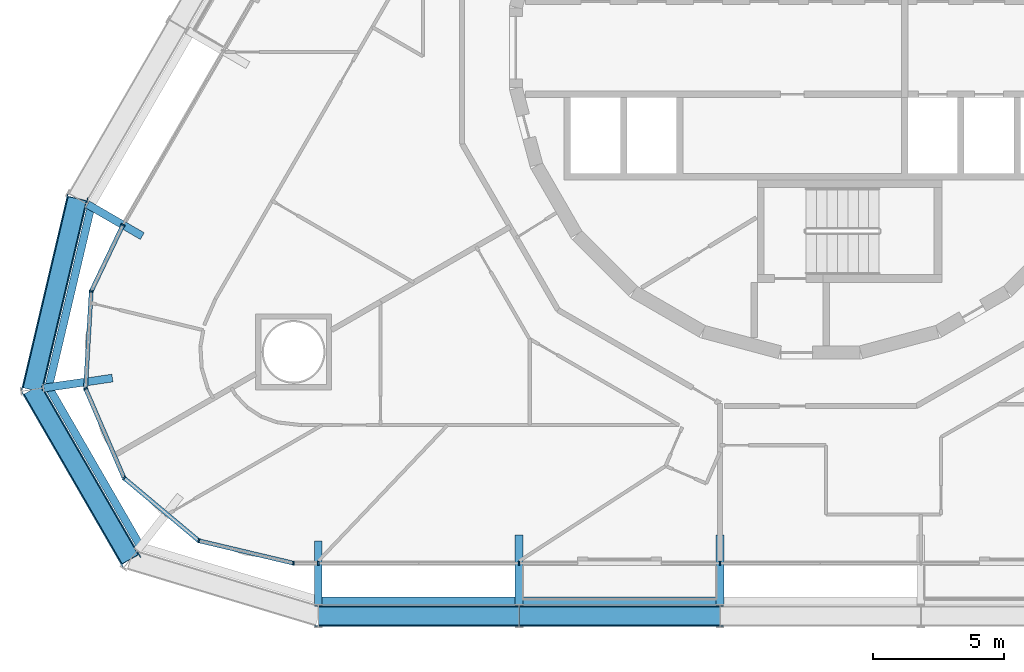
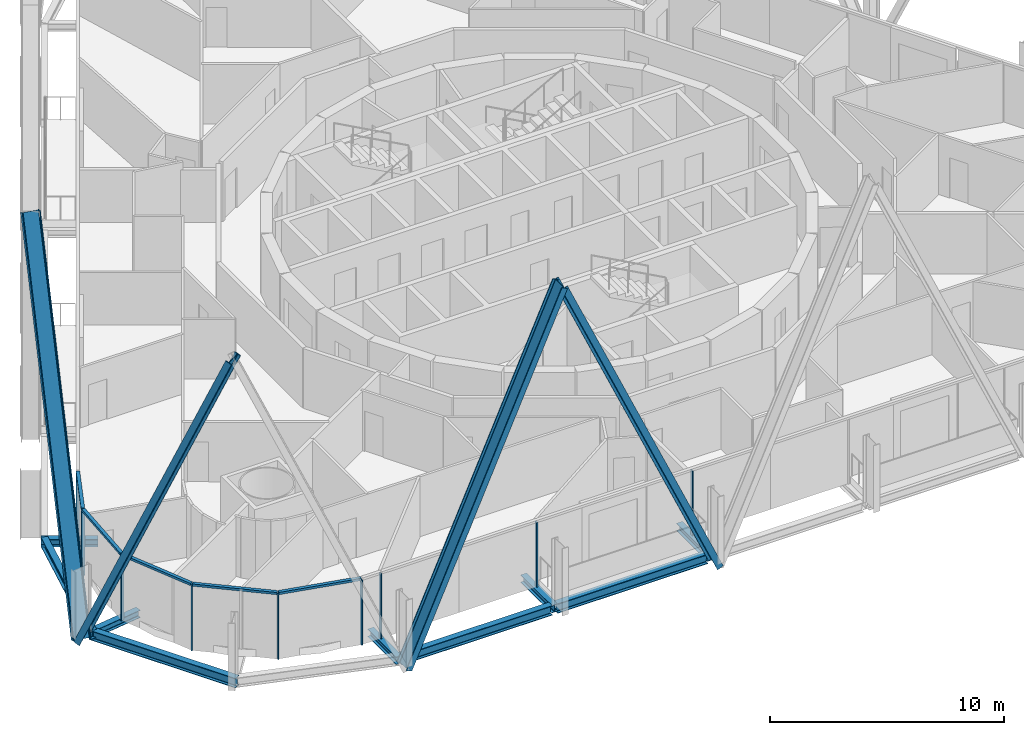
# One storey, part 3 of 22: 18 members, 9 beams, 2 elements without a shape of their own.
"""IFC4 building model written with IfcOpenShell, lengths in metres."""

from ifc_helpers import new_model, si_unit, direction, frame, origin, origin_2d, place, context, subcontext, project, spatial, rectangle, i_section, extrude, material, layer, layer_set, material_profile, profile_set, type_object, element, aggregate, save


model = new_model("IFC4")

# Units and contexts
model_context = context("Model", 3, precision=1e-05, world=origin(), true_north=direction((0.0, 1.0)))
body_context = subcontext(model_context, "Body", "Model", "MODEL_VIEW")
ifc_project = project(units=[si_unit("LENGTHUNIT", "METRE"), si_unit("AREAUNIT", "SQUARE_METRE"), si_unit("VOLUMEUNIT", "CUBIC_METRE"), si_unit("PLANEANGLEUNIT", "RADIAN"), si_unit("MASSUNIT", "GRAM", prefix="KILO")], contexts=[model_context])

# Site, building, storey
site_placement = place(None, origin())
site = spatial("IfcSite", under=ifc_project, at=site_placement, CompositionType="ELEMENT")
building_placement = place(site_placement, origin())
building = spatial("IfcBuilding", under=site, at=building_placement, Name="Spindle Arch Residences", CompositionType="ELEMENT")
storey_placement = place(building_placement, frame((0.0, 0.0, 52.39990234375)))
storey = spatial("IfcBuildingStorey", under=building, at=storey_placement, Name="L11", CompositionType="ELEMENT", Elevation=52.39990234375)

# Curtain wall, members
ifc_material_1 = material(Name="Aluminium bronze unitised frame with tinted glass", Category="aluminium")
ifc_layer_1 = layer(ifc_material_1, 0.159912109375)
ifc_layer_set_1 = layer_set([ifc_layer_1], Name="CW-D corner wall on the fillet arcs")
curtain_wall_type_1 = type_object("IfcCurtainWallType", Name="CW-D corner wall on the fillet arcs", PredefinedType="NOTDEFINED", material=ifc_layer_set_1)
curtain_wall_1_placement = place(storey_placement, origin())
curtain_wall_1 = element("IfcCurtainWall", 1, at=curtain_wall_1_placement, inside=storey, type_object=curtain_wall_type_1, Name="CW-D L11 run 5", PredefinedType="NOTDEFINED")
ifc_material_2 = material(Name="Aluminium bronze anodised mullion", Category="aluminium")
ifc_material_profile_1 = material_profile(ifc_material_2, rectangle(XDim=0.159912109375, YDim=0.06005859375, at=origin_2d()), Name="MU 60x160")
ifc_profile_set_1 = profile_set([ifc_material_profile_1], Name="Aluminium bronze anodised mullion")
member_type_1 = type_object("IfcMemberType", Name="Bronze mullion 60x160", PredefinedType="MULLION", material=ifc_profile_set_1)
member_1_placement = place(storey_placement, frame((-26.66943359375, -6.77294921875, -0.3798828125), z_axis=(0.0, 0.0, 1.0), x_axis=(0.902111889092, -0.431502189519, 0.0)))
member_1 = element("IfcMember", 2, at=member_1_placement, type_object=member_type_1, Name="CW-D mullion 00", PredefinedType="MULLION", context=body_context, shape_type="SweptSolid", body=[
    extrude(rectangle(XDim=0.159912109375, YDim=0.06005859375, at=origin_2d()), origin(), (0.0, 0.0, 1.0), 3.3798828125),
])
member_2_placement = place(storey_placement, frame((-27.884033203125, -9.3125, -0.3798828125), z_axis=(0.0, 0.0, 1.0), x_axis=(0.99830815821, -0.058144829968, 0.0)))
member_2 = element("IfcMember", 3, at=member_2_placement, type_object=member_type_1, Name="CW-D mullion 01", PredefinedType="MULLION", context=body_context, shape_type="SweptSolid", body=[
    extrude(rectangle(XDim=0.159912109375, YDim=0.06005859375, at=origin_2d()), origin(), (0.0, 0.0, 1.0), 3.3798828125),
])
member_3_placement = place(storey_placement, frame((-28.100830078125, -13.032958984375, -0.3798828125), z_axis=(0.0, 0.0, 1.0), x_axis=(0.918216106599, 0.396079766691, 0.0)))
member_3 = element("IfcMember", 4, at=member_3_placement, type_object=member_type_1, Name="CW-D mullion 02", PredefinedType="MULLION", context=body_context, shape_type="SweptSolid", body=[
    extrude(rectangle(XDim=0.159912109375, YDim=0.06005859375, at=origin_2d()), origin(), (0.0, 0.0, 1.0), 3.3798828125),
])
member_4_placement = place(storey_placement, frame((-26.624755859375, -16.454833984375, -0.3798828125), z_axis=(0.0, 0.0, 1.0), x_axis=(0.64278760716, 0.766044445239, 0.0)))
member_4 = element("IfcMember", 5, at=member_4_placement, type_object=member_type_1, Name="CW-D mullion 03", PredefinedType="MULLION", context=body_context, shape_type="SweptSolid", body=[
    extrude(rectangle(XDim=0.159912109375, YDim=0.06005859375, at=origin_2d()), origin(), (0.0, 0.0, 1.0), 3.3798828125),
])
member_5_placement = place(storey_placement, frame((-23.769775390625, -18.850341796875, -0.3798828125), z_axis=(0.0, 0.0, 1.0), x_axis=(0.230615868852, 0.973044871028, 0.0)))
member_5 = element("IfcMember", 6, at=member_5_placement, type_object=member_type_1, Name="CW-D mullion 04", PredefinedType="MULLION", context=body_context, shape_type="SweptSolid", body=[
    extrude(rectangle(XDim=0.159912109375, YDim=0.06005859375, at=origin_2d()), origin(), (0.0, 0.0, 1.0), 3.3798828125),
])
member_6_placement = place(storey_placement, frame((-20.1435546875, -19.7099609375, -0.3798828125), z_axis=(0.0, 0.0, 1.0), x_axis=(0.0, 1.0, 0.0)))
member_6 = element("IfcMember", 7, at=member_6_placement, type_object=member_type_1, Name="CW-D mullion 05", PredefinedType="MULLION", context=body_context, shape_type="SweptSolid", body=[
    extrude(rectangle(XDim=0.159912109375, YDim=0.06005859375, at=origin_2d()), origin(), (0.0, 0.0, 1.0), 3.3798828125),
])

ifc_material_3 = material(Name="Aluminium bronze unitised frame with tinted glass", Category="aluminium")
ifc_layer_2 = layer(ifc_material_3, 0.159912109375)
ifc_layer_set_2 = layer_set([ifc_layer_2], Name="CW-C typical residential unitised wall")
curtain_wall_type_2 = type_object("IfcCurtainWallType", Name="CW-C typical residential unitised wall", PredefinedType="NOTDEFINED", material=ifc_layer_set_2)
curtain_wall_2_placement = place(storey_placement, origin())
curtain_wall_2 = element("IfcCurtainWall", 8, at=curtain_wall_2_placement, inside=storey, type_object=curtain_wall_type_2, Name="CW-C L11 run 6", PredefinedType="NOTDEFINED")
member_7_placement = place(storey_placement, frame((-19.2001953125, -19.7099609375, -0.3798828125), z_axis=(0.0, 0.0, 1.0), x_axis=(0.0, 1.0, 0.0)))
member_7 = element("IfcMember", 9, at=member_7_placement, type_object=member_type_1, Name="CW-C mullion 21", PredefinedType="MULLION", context=body_context, shape_type="SweptSolid", body=[
    extrude(rectangle(XDim=0.159912109375, YDim=0.06005859375, at=origin_2d()), origin(), (0.0, 0.0, 1.0), 3.3798828125),
])
member_8_placement = place(storey_placement, frame((-11.52001953125, -19.7099609375, -0.3798828125), z_axis=(0.0, 0.0, 1.0), x_axis=(0.0, 1.0, 0.0)))
member_8 = element("IfcMember", 10, at=member_8_placement, type_object=member_type_1, Name="CW-C mullion 22", PredefinedType="MULLION", context=body_context, shape_type="SweptSolid", body=[
    extrude(rectangle(XDim=0.159912109375, YDim=0.06005859375, at=origin_2d()), origin(), (0.0, 0.0, 1.0), 3.3798828125),
])
member_9_placement = place(storey_placement, frame((-3.840087890625, -19.7099609375, -0.3798828125), z_axis=(0.0, 0.0, 1.0), x_axis=(0.0, 1.0, 0.0)))
member_9 = element("IfcMember", 11, at=member_9_placement, type_object=member_type_1, Name="CW-C mullion 23", PredefinedType="MULLION", context=body_context, shape_type="SweptSolid", body=[
    extrude(rectangle(XDim=0.159912109375, YDim=0.06005859375, at=origin_2d()), origin(), (0.0, 0.0, 1.0), 3.3798828125),
])
aggregate(curtain_wall_2, [member_7, member_8, member_9])

# Member
ifc_material_4 = material(Name="Aluminium bronze anodised transom", Category="aluminium")
ifc_material_profile_2 = material_profile(ifc_material_4, rectangle(XDim=0.159912109375, YDim=0.1201171875, at=origin_2d()), Name="TR 120x160")
ifc_profile_set_2 = profile_set([ifc_material_profile_2], Name="Aluminium bronze anodised transom")
member_type_2 = type_object("IfcMemberType", Name="Bronze transom 120x160", PredefinedType="USERDEFINED", material=ifc_profile_set_2)
member_10_placement = place(storey_placement, frame((-26.682373046875, -6.800048828125, 3.06005859375), z_axis=(-0.43147744699, -0.902123723631, 0.0), x_axis=(0.902123723631, -0.43147744699, 0.0)))
member_10 = element("IfcMember", 12, at=member_10_placement, type_object=member_type_2, Name="CW-D transom 00", ObjectType="TRANSOM", PredefinedType="USERDEFINED", context=body_context, shape_type="SweptSolid", body=[
    extrude(rectangle(XDim=0.159912109375, YDim=0.1201171875, at=origin_2d()), origin(), (0.0, 0.0, 1.0), 2.7548828125),
])

member_11_placement = place(storey_placement, frame((-27.885986328125, -9.342529296875, 3.06005859375), z_axis=(-0.058128716156, -0.998309096602, 0.0), x_axis=(0.998309096602, -0.058128716156, 0.0)))
member_11 = element("IfcMember", 13, at=member_11_placement, type_object=member_type_2, Name="CW-D transom 01", ObjectType="TRANSOM", PredefinedType="USERDEFINED", context=body_context, shape_type="SweptSolid", body=[
    extrude(rectangle(XDim=0.159912109375, YDim=0.1201171875, at=origin_2d()), origin(), (0.0, 0.0, 1.0), 3.66650390625),
])

member_12_placement = place(storey_placement, frame((-28.0888671875, -13.060546875, 3.06005859375), z_axis=(0.39603167212, -0.918236851078, 0.0), x_axis=(0.918236851078, 0.39603167212, 0.0)))
member_12 = element("IfcMember", 14, at=member_12_placement, type_object=member_type_2, Name="CW-D transom 02", ObjectType="TRANSOM", PredefinedType="USERDEFINED", context=body_context, shape_type="SweptSolid", body=[
    extrude(rectangle(XDim=0.159912109375, YDim=0.1201171875, at=origin_2d()), origin(), (0.0, 0.0, 1.0), 3.666748046875),
])

member_13_placement = place(storey_placement, frame((-26.601806640625, -16.47412109375, 3.06005859375), z_axis=(0.766006453075, -0.642832881741, 0.0), x_axis=(0.642832881741, 0.766006453075, 0.0)))
member_13 = element("IfcMember", 15, at=member_13_placement, type_object=member_type_2, Name="CW-D transom 03", ObjectType="TRANSOM", PredefinedType="USERDEFINED", context=body_context, shape_type="SweptSolid", body=[
    extrude(rectangle(XDim=0.159912109375, YDim=0.1201171875, at=origin_2d()), origin(), (0.0, 0.0, 1.0), 3.666748046875),
])

member_14_placement = place(storey_placement, frame((-23.74072265625, -18.857421875, 3.06005859375), z_axis=(0.973053560164, -0.230579203425, 0.0), x_axis=(0.230579203425, 0.973053560164, 0.0)))
member_14 = element("IfcMember", 16, at=member_14_placement, type_object=member_type_2, Name="CW-D transom 04", ObjectType="TRANSOM", PredefinedType="USERDEFINED", context=body_context, shape_type="SweptSolid", body=[
    extrude(rectangle(XDim=0.159912109375, YDim=0.1201171875, at=origin_2d()), origin(), (0.0, 0.0, 1.0), 3.666748046875),
])

aggregate(curtain_wall_1, [member_1, member_10, member_2, member_11, member_3, member_12, member_4, member_13, member_5, member_14, member_6])

# Members
ifc_material_5 = material(Name="Steel S460ML, intumescent coating R 240", Category="steel")
ifc_material_profile_3 = material_profile(ifc_material_5, i_section(OverallWidth=0.302978515625, OverallDepth=0.81396484375, WebThickness=0.02099609375, FlangeThickness=0.0400390625, FilletRadius=0.030029296875, at=origin_2d()), Name="HEM 800")
ifc_profile_set_3 = profile_set([ifc_material_profile_3], Name="Steel S460ML, intumescent coating R 240")
member_type_3 = type_object("IfcMemberType", Name="Diagrid diagonal HEM 800", PredefinedType="BRACE", material=ifc_profile_set_3)
member_15_placement = place(storey_placement, frame((-30.139892578125, -13.0732421875, -0.6298828125), z_axis=(0.091382533041, 0.388123005226, 0.917065845765), x_axis=(-0.210173756454, -0.892657133264, 0.398735795397)))
element("IfcMember", 17, at=member_15_placement, inside=storey, type_object=member_type_3, Name="Diagrid diagonal 1.2.19", PredefinedType="BRACE", context=body_context, shape_type="SweptSolid", body=[
    extrude(i_section(OverallWidth=0.302978515625, OverallDepth=0.81396484375, WebThickness=0.02099609375, FlangeThickness=0.0400390625, FilletRadius=0.030029296875, at=origin_2d()), origin(), (0.0, 0.0, 1.0), 18.8349609375),
])
member_16_placement = place(storey_placement, frame((-30.139892578125, -13.0732421875, -0.6298828125), z_axis=(0.199064898335, -0.344775269434, 0.917334824281), x_axis=(-0.45868262611, 0.794426477619, 0.398116591167)))
element("IfcMember", 18, at=member_16_placement, inside=storey, type_object=member_type_3, Name="Diagrid diagonal 1.2.20", PredefinedType="BRACE", context=body_context, shape_type="SweptSolid", body=[
    extrude(i_section(OverallWidth=0.302978515625, OverallDepth=0.81396484375, WebThickness=0.02099609375, FlangeThickness=0.0400390625, FilletRadius=0.030029296875, at=origin_2d()), origin(), (0.0, 0.0, 1.0), 18.82958984375),
])
for number, where, z_axis, x_axis, name in (
    (19, (-19.2001953125, -21.72998046875, -0.6298828125), (0.40628465498, 0.0, 0.91374656176), (-0.91374656176, 0.0, 0.40628465498), "Diagrid diagonal 1.2.22"),
    (20, (-3.840087890625, -21.72998046875, -0.6298828125), (-0.406273871617, 0.0, 0.913751356356), (0.913751356356, 0.0, 0.406273871617), "Diagrid diagonal 1.2.23"),
):
    element("IfcMember", number, at=place(storey_placement, frame(where, z_axis=z_axis, x_axis=x_axis)), inside=storey, type_object=member_type_3, Name=name, PredefinedType="BRACE", context=body_context, shape_type="SweptSolid", body=[
        extrude(i_section(OverallWidth=0.302978515625, OverallDepth=0.81396484375, WebThickness=0.02099609375, FlangeThickness=0.0400390625, FilletRadius=0.030029296875, at=origin_2d()), origin(), (0.0, 0.0, 1.0), 18.9033203125),
    ])

# Beams
ifc_material_6 = material(Name="Steel S460ML, intumescent coating R 120", Category="steel")
ifc_material_profile_4 = material_profile(ifc_material_6, i_section(OverallWidth=0.300048828125, OverallDepth=0.5, WebThickness=0.014404296875, FlangeThickness=0.028076171875, FilletRadius=0.027099609375, at=origin_2d()), Name="HEB 500")
ifc_profile_set_4 = profile_set([ifc_material_profile_4], Name="Steel S460ML, intumescent coating R 120")
beam_type_1 = type_object("IfcBeamType", Name="Exoskeleton edge beam HEB 500", PredefinedType="BEAM", material=ifc_profile_set_4)
beam_1_placement = place(storey_placement, frame((-27.8720703125, -6.00048828125, -0.6298828125), z_axis=(-0.229185730541, -0.973382710406, 0.0), x_axis=(0.973382710406, -0.229185730541, 0.0)))
element("IfcBeam", 21, at=beam_1_placement, inside=storey, type_object=beam_type_1, Name="Exoskeleton edge beam 19", PredefinedType="BEAM", context=body_context, shape_type="SweptSolid", body=[
    extrude(i_section(OverallWidth=0.300048828125, OverallDepth=0.5, WebThickness=0.014404296875, FlangeThickness=0.028076171875, FilletRadius=0.027099609375, at=origin_2d()), origin(), (0.0, 0.0, 1.0), 7.25),
])
beam_2_placement = place(storey_placement, frame((-29.56640625, -12.892333984375, -0.6298828125), z_axis=(0.499999897272, -0.866025463095, 0.0), x_axis=(0.866025463095, 0.499999897272, 0.0)))
element("IfcBeam", 22, at=beam_2_placement, inside=storey, type_object=beam_type_1, Name="Exoskeleton edge beam 20", PredefinedType="BEAM", context=body_context, shape_type="SweptSolid", body=[
    extrude(i_section(OverallWidth=0.300048828125, OverallDepth=0.5, WebThickness=0.014404296875, FlangeThickness=0.028076171875, FilletRadius=0.027099609375, at=origin_2d()), origin(), (0.0, 0.0, 1.0), 7.236328125),
])
for number, where, z_axis, x_axis, name in (
    (23, (-19.0703125, -21.142822265625, -0.6298828125), (1.0, 0.0, 0.0), (0.0, 1.0, 0.0), "Exoskeleton edge beam 22"),
    (24, (-11.39013671875, -21.142822265625, -0.6298828125), (1.0, 0.0, 0.0), (0.0, 1.0, 0.0), "Exoskeleton edge beam 23"),
):
    element("IfcBeam", number, at=place(storey_placement, frame(where, z_axis=z_axis, x_axis=x_axis)), inside=storey, type_object=beam_type_1, Name=name, PredefinedType="BEAM", context=body_context, shape_type="SweptSolid", body=[
        extrude(i_section(OverallWidth=0.300048828125, OverallDepth=0.5, WebThickness=0.014404296875, FlangeThickness=0.028076171875, FilletRadius=0.027099609375, at=origin_2d()), origin(), (0.0, 0.0, 1.0), 7.420166015625),
    ])
ifc_material_7 = material(Name="Steel S460ML, intumescent coating R 120", Category="steel")
ifc_material_profile_5 = material_profile(ifc_material_7, i_section(OverallWidth=0.300048828125, OverallDepth=0.389892578125, WebThickness=0.010986328125, FlangeThickness=0.01904296875, FilletRadius=0.027099609375, at=origin_2d()), Name="HEA 400")
ifc_profile_set_5 = profile_set([ifc_material_profile_5], Name="Steel S460ML, intumescent coating R 120")
beam_type_2 = type_object("IfcBeamType", Name="Floor outrigger HEA 400", PredefinedType="BEAM", material=ifc_profile_set_5)
beam_3_placement = place(storey_placement, frame((-28.029052734375, -5.98779296875, -0.574951171875), z_axis=(0.866002732682, -0.500039265445, 0.0), x_axis=(0.500039265445, 0.866002732682, 0.0)))
element("IfcBeam", 25, at=beam_3_placement, inside=storey, type_object=beam_type_2, Name="Floor outrigger 19", PredefinedType="BEAM", context=body_context, shape_type="SweptSolid", body=[
    extrude(i_section(OverallWidth=0.300048828125, OverallDepth=0.389892578125, WebThickness=0.010986328125, FlangeThickness=0.01904296875, FilletRadius=0.027099609375, at=origin_2d()), origin(), (0.0, 0.0, 1.0), 2.423583984375),
])
beam_4_placement = place(storey_placement, frame((-29.694580078125, -13.009033203125, -0.574951171875), z_axis=(0.989738348309, 0.142891573883, 0.0), x_axis=(-0.142891573883, 0.989738348309, 0.0)))
element("IfcBeam", 26, at=beam_4_placement, inside=storey, type_object=beam_type_2, Name="Floor outrigger 20", PredefinedType="BEAM", context=body_context, shape_type="SweptSolid", body=[
    extrude(i_section(OverallWidth=0.300048828125, OverallDepth=0.389892578125, WebThickness=0.010986328125, FlangeThickness=0.01904296875, FilletRadius=0.027099609375, at=origin_2d()), origin(), (0.0, 0.0, 1.0), 2.64990234375),
])
beam_5_placement = place(storey_placement, frame((-19.2001953125, -21.27978515625, -0.574951171875), z_axis=(0.0, 1.0, 0.0), x_axis=(-1.0, 0.0, 0.0)))
element("IfcBeam", 27, at=beam_5_placement, inside=storey, type_object=beam_type_2, Name="Floor outrigger 22", PredefinedType="BEAM", context=body_context, shape_type="SweptSolid", body=[
    extrude(i_section(OverallWidth=0.300048828125, OverallDepth=0.389892578125, WebThickness=0.010986328125, FlangeThickness=0.01904296875, FilletRadius=0.027099609375, at=origin_2d()), origin(), (0.0, 0.0, 1.0), 2.42333984375),
])
for number, where, z_axis, x_axis, name in (
    (28, (-11.52001953125, -21.27978515625, -0.574951171875), (0.0, 1.0, 0.0), (-1.0, 0.0, 0.0), "Floor outrigger 23"),
    (29, (-3.840087890625, -21.27978515625, -0.574951171875), (0.0, 1.0, 0.0), (-1.0, 0.0, 0.0), "Floor outrigger 24"),
):
    element("IfcBeam", number, at=place(storey_placement, frame(where, z_axis=z_axis, x_axis=x_axis)), inside=storey, type_object=beam_type_2, Name=name, PredefinedType="BEAM", context=body_context, shape_type="SweptSolid", body=[
        extrude(i_section(OverallWidth=0.300048828125, OverallDepth=0.389892578125, WebThickness=0.010986328125, FlangeThickness=0.01904296875, FilletRadius=0.027099609375, at=origin_2d()), origin(), (0.0, 0.0, 1.0), 2.64990234375),
    ])

save(model, "model.ifc")
